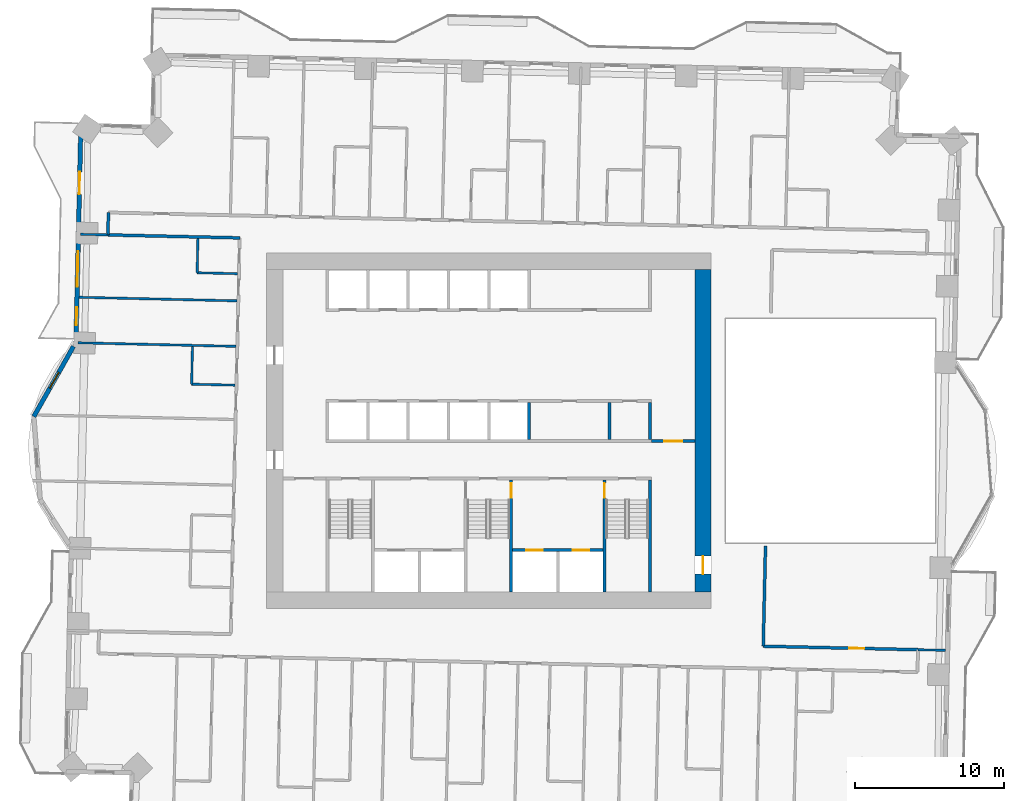
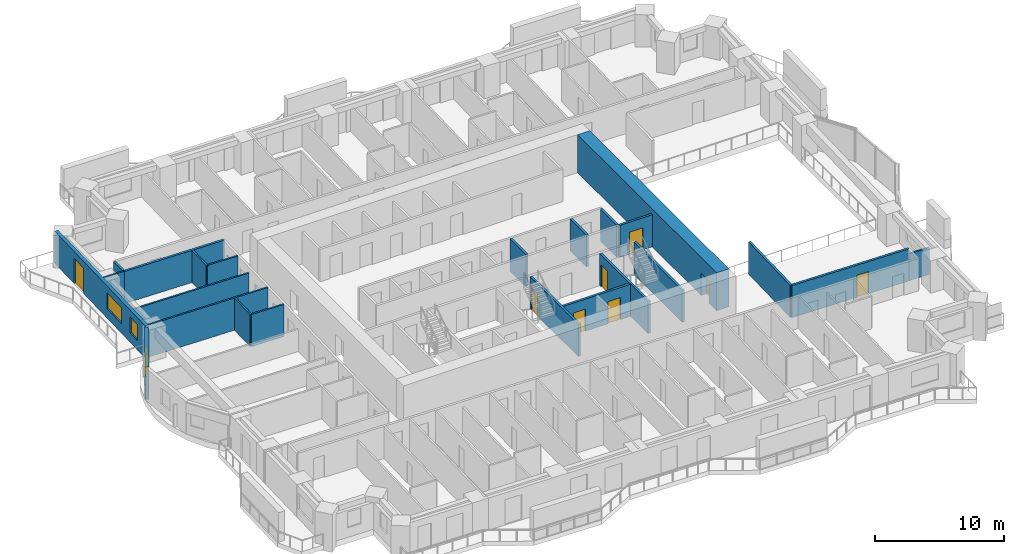
# One storey, part 10 of 18: 23 walls, 8 doors, 3 windows, 11 openings.
"""IFC4 building model written with IfcOpenShell, lengths in metres."""

from ifc_helpers import new_model, si_unit, direction, frame, frame_2d, origin, place, context, subcontext, project, spatial, rectangle, extrude, material, layer, layer_set, type_object, element, fill, save


model = new_model("IFC4")

# Units and contexts
model_context = context("Model", 3, precision=1e-05, world=origin(), true_north=direction((0.0, 1.0)))
body_context = subcontext(model_context, "Body", "Model", "MODEL_VIEW")
ifc_project = project(units=[si_unit("LENGTHUNIT", "METRE"), si_unit("AREAUNIT", "SQUARE_METRE"), si_unit("VOLUMEUNIT", "CUBIC_METRE"), si_unit("PLANEANGLEUNIT", "RADIAN"), si_unit("MASSUNIT", "GRAM", prefix="KILO")], contexts=[model_context])

# Site, building, storey
site_placement = place(None, origin())
site = spatial("IfcSite", under=ifc_project, at=site_placement, CompositionType="ELEMENT")
building_placement = place(site_placement, origin())
building = spatial("IfcBuilding", under=site, at=building_placement, Name="Mangrove Gate Tower", CompositionType="ELEMENT")
storey_placement = place(building_placement, frame((0.0, 0.0, 67.5)))
storey = spatial("IfcBuildingStorey", under=building, at=storey_placement, Name="L16", CompositionType="ELEMENT", Elevation=67.5)

# Wall, opening, door
ifc_material_1 = material(Name="Concrete C32/40", Category="concrete")
ifc_layer_1 = layer(ifc_material_1, 0.199951171875)
ifc_layer_set_1 = layer_set([ifc_layer_1], Name="Core lobby wall 200 C32/40")
wall_type_1 = type_object("IfcWallType", Name="Core lobby wall 200 C32/40", PredefinedType="STANDARD", material=ifc_layer_set_1)
wall_1_placement = place(storey_placement, frame((10.89990234375, -0.699951171875, 0.0), z_axis=(0.0, 0.0, 1.0), x_axis=(1.0, 0.0, 0.0)))
wall_1 = element("IfcWall", 1, at=wall_1_placement, inside=storey, type_object=wall_type_1, Name="WALL-L16-CORE-35", PredefinedType="STANDARD", context=body_context, shape_type="SweptSolid", body=[
    extrude(rectangle(XDim=2.900146484375, YDim=0.199951171875, at=frame_2d((1.4501953125, 0.0))), origin(), (0.0, 0.0, 1.0), 3.050048828125),
])
opening_1_placement = place(wall_1_placement, frame((0.85009765625, 0.0, 0.0)))
opening_1 = element("IfcOpeningElement", 2, at=opening_1_placement, cuts=wall_1, Name="Opening FL12", PredefinedType="OPENING", context=body_context, shape_type="SweptSolid", body=[
    extrude(rectangle(XDim=1.199951171875, YDim=2.10009765625, at=frame_2d((0.60009765625, 1.050048828125))), frame((0.0, 0.10986328125, 0.0), z_axis=(0.0, -1.0, 0.0), x_axis=(1.0, 0.0, 0.0)), (0.0, 0.0, 1.0), 0.219970703125),
])
ifc_material_2 = material(Name="Fire-rated steel door set", Category="steel")
door_type_1 = type_object("IfcDoorType", Name="Lobby door FD60 1200x2100", OperationType="SINGLE_SWING_LEFT", PredefinedType="DOOR", material=ifc_material_2)
door_1_placement = place(opening_1_placement, origin())
door_1 = element("IfcDoor", 3, at=door_1_placement, inside=storey, type_object=door_type_1, Name="Lobby door core corridor E partition", OperationType="SINGLE_SWING_LEFT", OverallHeight=2.10009765625, OverallWidth=1.199951171875, PredefinedType="DOOR", context=body_context, shape_type="SweptSolid", body=[
    extrude(rectangle(XDim=1.199951171875, YDim=2.10009765625, at=frame_2d((0.60009765625, 1.050048828125))), frame((0.0, 0.02490234375, 0.0), z_axis=(0.0, -1.0, 0.0), x_axis=(1.0, 0.0, 0.0)), (0.0, 0.0, 1.0), 0.050048828125),
])
fill(opening_1, door_1)

# Walls
ifc_material_3 = material(Name="Concrete C32/40", Category="concrete")
ifc_layer_2 = layer(ifc_material_3, 0.199951171875)
ifc_layer_set_2 = layer_set([ifc_layer_2], Name="Core room wall 200 C32/40")
wall_type_2 = type_object("IfcWallType", Name="Core room wall 200 C32/40", PredefinedType="STANDARD", material=ifc_layer_set_2)
for number, where, z_axis, x_axis, name in (
    (4, (8.10009765625, -0.60009765625, 0.0), (0.0, 0.0, 1.0), (0.0, 1.0, 0.0), "WALL-L16-CORE-25"),
    (5, (10.800048828125, -0.60009765625, 0.0), (0.0, 0.0, 1.0), (0.0, 1.0, 0.0), "WALL-L16-CORE-26"),
):
    element("IfcWall", number, at=place(storey_placement, frame(where, z_axis=z_axis, x_axis=x_axis)), inside=storey, type_object=wall_type_2, Name=name, PredefinedType="STANDARD", context=body_context, shape_type="SweptSolid", body=[
        extrude(rectangle(XDim=2.5, YDim=0.199951171875, at=frame_2d((1.25, 0.0))), origin(), (0.0, 0.0, 1.0), 3.050048828125),
    ])

# Wall, openings, doors
ifc_material_4 = material(Name="Concrete C70/85", Category="concrete")
ifc_layer_3 = layer(ifc_material_4, 0.199951171875)
ifc_layer_set_3 = layer_set([ifc_layer_3], Name="Core shaft wall 200 C70/85")
wall_type_3 = type_object("IfcWallType", Name="Core shaft wall 200 C70/85", PredefinedType="SHEAR", material=ifc_layer_set_3)
wall_2_placement = place(storey_placement, frame((1.60009765625, -8.0, 0.0), z_axis=(0.0, 0.0, 1.0), x_axis=(1.0, 0.0, 0.0)))
wall_2 = element("IfcWall", 6, at=wall_2_placement, inside=storey, type_object=wall_type_3, Name="WALL-L16-CORE-17", PredefinedType="SHEAR", context=body_context, shape_type="SweptSolid", body=[
    extrude(rectangle(XDim=6.0498046875, YDim=0.199951171875, at=frame_2d((3.02490234375, 0.0))), origin(), (0.0, 0.0, 1.0), 3.050048828125),
])
opening_2_placement = place(wall_2_placement, frame((0.91259765625, 0.0, 0.0)))
opening_2 = element("IfcOpeningElement", 7, at=opening_2_placement, cuts=wall_2, Name="Opening LD", PredefinedType="OPENING", context=body_context, shape_type="SweptSolid", body=[
    extrude(rectangle(XDim=1.10009765625, YDim=2.10009765625, at=frame_2d((0.550048828125, 1.050048828125))), frame((0.0, 0.10986328125, 0.0), z_axis=(0.0, -1.0, 0.0), x_axis=(1.0, 0.0, 0.0)), (0.0, 0.0, 1.0), 0.219970703125),
])
opening_3_placement = place(wall_2_placement, frame((4.03759765625, 0.0, 0.0)))
opening_3 = element("IfcOpeningElement", 8, at=opening_3_placement, cuts=wall_2, Name="Opening LD", PredefinedType="OPENING", context=body_context, shape_type="SweptSolid", body=[
    extrude(rectangle(XDim=1.10009765625, YDim=2.10009765625, at=frame_2d((0.550048828125, 1.050048828125))), frame((0.0, 0.10986328125, 0.0), z_axis=(0.0, -1.0, 0.0), x_axis=(1.0, 0.0, 0.0)), (0.0, 0.0, 1.0), 0.219970703125),
])
ifc_material_5 = material(Name="Stainless steel 316", Category="steel")
door_type_2 = type_object("IfcDoorType", Name="Lift landing door 1100x2100", OperationType="SLIDING_TO_LEFT", PredefinedType="DOOR", material=ifc_material_5)
door_2_placement = place(opening_2_placement, origin())
door_2 = element("IfcDoor", 9, at=door_2_placement, inside=storey, type_object=door_type_2, Name="Landing door LD FFL1", OperationType="SLIDING_TO_LEFT", OverallHeight=2.10009765625, OverallWidth=1.10009765625, PredefinedType="DOOR", context=body_context, shape_type="SweptSolid", body=[
    extrude(rectangle(XDim=1.10009765625, YDim=2.10009765625, at=frame_2d((0.550048828125, 1.050048828125))), frame((0.0, 0.02490234375, 0.0), z_axis=(0.0, -1.0, 0.0), x_axis=(1.0, 0.0, 0.0)), (0.0, 0.0, 1.0), 0.050048828125),
])
fill(opening_2, door_2)
door_3_placement = place(opening_3_placement, origin())
door_3 = element("IfcDoor", 10, at=door_3_placement, inside=storey, type_object=door_type_2, Name="Landing door LD FFL2", OperationType="SLIDING_TO_LEFT", OverallHeight=2.10009765625, OverallWidth=1.10009765625, PredefinedType="DOOR", context=body_context, shape_type="SweptSolid", body=[
    extrude(rectangle(XDim=1.10009765625, YDim=2.10009765625, at=frame_2d((0.550048828125, 1.050048828125))), frame((0.0, 0.02490234375, 0.0), z_axis=(0.0, -1.0, 0.0), x_axis=(1.0, 0.0, 0.0)), (0.0, 0.0, 1.0), 0.050048828125),
])
fill(opening_3, door_3)

# Wall
wall_3_placement = place(storey_placement, frame((2.699951171875, -0.60009765625, 0.0), z_axis=(0.0, 0.0, 1.0), x_axis=(0.0, 1.0, 0.0)))
element("IfcWall", 11, at=wall_3_placement, inside=storey, type_object=wall_type_3, Name="WALL-L16-CORE-24", PredefinedType="SHEAR", context=body_context, shape_type="SweptSolid", body=[
    extrude(rectangle(XDim=2.5, YDim=0.199951171875, at=frame_2d((1.25, 0.0))), origin(), (0.0, 0.0, 1.0), 3.050048828125),
])

# Wall, opening, door
ifc_material_6 = material(Name="Concrete C70/85", Category="concrete")
ifc_layer_4 = layer(ifc_material_6, 0.199951171875)
ifc_layer_set_4 = layer_set([ifc_layer_4], Name="Core stair wall 200 C70/85")
wall_type_4 = type_object("IfcWallType", Name="Core stair wall 200 C70/85", PredefinedType="SHEAR", material=ifc_layer_set_4)
wall_4_placement = place(storey_placement, frame((1.5, -10.800048828125, 0.0), z_axis=(0.0, 0.0, 1.0), x_axis=(0.0, 1.0, 0.0)))
wall_4 = element("IfcWall", 12, at=wall_4_placement, inside=storey, type_object=wall_type_4, Name="WALL-L16-CORE-12", PredefinedType="SHEAR", context=body_context, shape_type="SweptSolid", body=[
    extrude(rectangle(XDim=7.5, YDim=0.199951171875, at=frame_2d((3.75, 0.0))), origin(), (0.0, 0.0, 1.0), 3.050048828125),
])
opening_4_placement = place(wall_4_placement, frame((6.300048828125, 0.0, 0.0)))
opening_4 = element("IfcOpeningElement", 13, at=opening_4_placement, cuts=wall_4, Name="Opening STD10", PredefinedType="OPENING", context=body_context, shape_type="SweptSolid", body=[
    extrude(rectangle(XDim=1.0, YDim=2.10009765625, at=frame_2d((0.5, 1.050048828125))), frame((0.0, 0.10986328125, 0.0), z_axis=(0.0, -1.0, 0.0), x_axis=(1.0, 0.0, 0.0)), (0.0, 0.0, 1.0), 0.219970703125),
])
ifc_material_7 = material(Name="Fire-rated steel door set", Category="steel")
door_type_3 = type_object("IfcDoorType", Name="Stair door FD60 1000x2100", OperationType="SINGLE_SWING_RIGHT", PredefinedType="DOOR", material=ifc_material_7)
door_4_placement = place(opening_4_placement, origin())
door_4 = element("IfcDoor", 14, at=door_4_placement, inside=storey, type_object=door_type_3, Name="Stair door Stair 2 from fire-fighting lobby", OperationType="SINGLE_SWING_RIGHT", OverallHeight=2.10009765625, OverallWidth=1.0, PredefinedType="DOOR", context=body_context, shape_type="SweptSolid", body=[
    extrude(rectangle(XDim=1.0, YDim=2.10009765625, at=frame_2d((0.5, 1.050048828125))), frame((0.0, 0.02490234375, 0.0), z_axis=(0.0, -1.0, 0.0), x_axis=(1.0, 0.0, 0.0)), (0.0, 0.0, 1.0), 0.050048828125),
])
fill(opening_4, door_4)

wall_5_placement = place(storey_placement, frame((7.75, -10.800048828125, 0.0), z_axis=(0.0, 0.0, 1.0), x_axis=(0.0, 1.0, 0.0)))
wall_5 = element("IfcWall", 15, at=wall_5_placement, inside=storey, type_object=wall_type_4, Name="WALL-L16-CORE-13", PredefinedType="SHEAR", context=body_context, shape_type="SweptSolid", body=[
    extrude(rectangle(XDim=7.5, YDim=0.199951171875, at=frame_2d((3.75, 0.0))), origin(), (0.0, 0.0, 1.0), 3.050048828125),
])
opening_5_placement = place(wall_5_placement, frame((6.300048828125, 0.0, 0.0)))
opening_5 = element("IfcOpeningElement", 16, at=opening_5_placement, cuts=wall_5, Name="Opening STD10", PredefinedType="OPENING", context=body_context, shape_type="SweptSolid", body=[
    extrude(rectangle(XDim=1.0, YDim=2.10009765625, at=frame_2d((0.5, 1.050048828125))), frame((0.0, 0.10986328125, 0.0), z_axis=(0.0, -1.0, 0.0), x_axis=(1.0, 0.0, 0.0)), (0.0, 0.0, 1.0), 0.219970703125),
])
door_5_placement = place(opening_5_placement, origin())
door_5 = element("IfcDoor", 17, at=door_5_placement, inside=storey, type_object=door_type_3, Name="Stair door Stair 3 from fire-fighting lobby", OperationType="SINGLE_SWING_RIGHT", OverallHeight=2.10009765625, OverallWidth=1.0, PredefinedType="DOOR", context=body_context, shape_type="SweptSolid", body=[
    extrude(rectangle(XDim=1.0, YDim=2.10009765625, at=frame_2d((0.5, 1.050048828125))), frame((0.0, 0.02490234375, 0.0), z_axis=(0.0, -1.0, 0.0), x_axis=(1.0, 0.0, 0.0)), (0.0, 0.0, 1.0), 0.050048828125),
])
fill(opening_5, door_5)

# Wall
wall_6_placement = place(storey_placement, frame((10.800048828125, -10.800048828125, 0.0), z_axis=(0.0, 0.0, 1.0), x_axis=(0.0, 1.0, 0.0)))
element("IfcWall", 18, at=wall_6_placement, inside=storey, type_object=wall_type_4, Name="WALL-L16-CORE-14", PredefinedType="SHEAR", context=body_context, shape_type="SweptSolid", body=[
    extrude(rectangle(XDim=7.5, YDim=0.199951171875, at=frame_2d((3.75, 0.0))), origin(), (0.0, 0.0, 1.0), 3.050048828125),
])

# Wall, opening, door
ifc_material_8 = material(Name="Concrete C70/85", Category="concrete")
ifc_layer_5 = layer(ifc_material_8, 1.10009765625)
ifc_layer_set_5 = layer_set([ifc_layer_5], Name="Core wall 1100 C70/85")
wall_type_5 = type_object("IfcWallType", Name="Core wall 1100 C70/85", PredefinedType="SHEAR", material=ifc_layer_set_5)
wall_7_placement = place(storey_placement, frame((14.35009765625, -10.800048828125, 0.0), z_axis=(0.0, 0.0, 1.0), x_axis=(0.0, 1.0, 0.0)))
wall_7 = element("IfcWall", 19, at=wall_7_placement, inside=storey, type_object=wall_type_5, Name="WALL-L16-CORE-4", PredefinedType="SHEAR", context=body_context, shape_type="SweptSolid", body=[
    extrude(rectangle(XDim=21.60009765625, YDim=1.10009765625, at=frame_2d((10.800048828125, 0.0))), origin(), (0.0, 0.0, 1.0), 3.60009765625),
])
opening_6_placement = place(wall_7_placement, frame((1.199951171875, 0.0, 0.0)))
opening_6 = element("IfcOpeningElement", 20, at=opening_6_placement, cuts=wall_7, Name="Opening CD", PredefinedType="OPENING", context=body_context, shape_type="SweptSolid", body=[
    extrude(rectangle(XDim=1.199951171875, YDim=2.10009765625, at=frame_2d((0.60009765625, 1.050048828125))), frame((0.0, 0.56005859375, 0.0), z_axis=(0.0, -1.0, 0.0), x_axis=(1.0, 0.0, 0.0)), (0.0, 0.0, 1.0), 1.1201171875),
])
ifc_material_9 = material(Name="Fire-rated steel door set", Category="steel")
door_type_4 = type_object("IfcDoorType", Name="Core ring door FD60 1200x2100", OperationType="DOUBLE_DOOR_SINGLE_SWING", PredefinedType="DOOR", material=ifc_material_9)
door_6_placement = place(opening_6_placement, origin())
door_6 = element("IfcDoor", 21, at=door_6_placement, inside=storey, type_object=door_type_4, Name="Core ring door E1", OperationType="DOUBLE_DOOR_SINGLE_SWING", OverallHeight=2.10009765625, OverallWidth=1.199951171875, PredefinedType="DOOR", context=body_context, shape_type="SweptSolid", body=[
    extrude(rectangle(XDim=1.199951171875, YDim=2.10009765625, at=frame_2d((0.60009765625, 1.050048828125))), frame((0.0, 0.02490234375, 0.0), z_axis=(0.0, -1.0, 0.0), x_axis=(1.0, 0.0, 0.0)), (0.0, 0.0, 1.0), 0.050048828125),
])
fill(opening_6, door_6)

ifc_material_10 = material(Name="Gypsum board on steel stud, EI 60", Category="steel")
ifc_layer_6 = layer(ifc_material_10, 0.199951171875)
ifc_layer_set_6 = layer_set([ifc_layer_6], Name="Corridor wall EI 60")
wall_type_6 = type_object("IfcWallType", Name="Corridor wall EI 60", PredefinedType="PARTITIONING", material=ifc_layer_set_6)
wall_8_placement = place(storey_placement, frame((18.382080078125, -14.43408203125, 0.0), z_axis=(0.0, 0.0, 1.0), x_axis=(0.999743763457, -0.022636418209, 0.0)))
wall_8 = element("IfcWall", 22, at=wall_8_placement, inside=storey, type_object=wall_type_6, Name="WALL-L16-037", PredefinedType="PARTITIONING", context=body_context, shape_type="SweptSolid", body=[
    extrude(rectangle(XDim=10.37548828125, YDim=0.199951171875, at=frame_2d((5.187744140625, 0.0))), origin(), (0.0, 0.0, 1.0), 3.050048828125),
])
opening_7_placement = place(wall_8_placement, frame((5.777099609375, 0.0, 0.0)))
opening_7 = element("IfcOpeningElement", 23, at=opening_7_placement, cuts=wall_8, Name="Opening AD", PredefinedType="OPENING", context=body_context, shape_type="SweptSolid", body=[
    extrude(rectangle(XDim=1.0, YDim=2.10009765625, at=frame_2d((0.5, 1.050048828125))), frame((0.0, 0.10986328125, 0.0), z_axis=(0.0, -1.0, 0.0), x_axis=(1.0, 0.0, 0.0)), (0.0, 0.0, 1.0), 0.219970703125),
])
ifc_material_11 = material(Name="Timber door leaf", Category="wood")
door_type_5 = type_object("IfcDoorType", Name="Amenity door 1000", OperationType="SINGLE_SWING_LEFT", PredefinedType="DOOR", material=ifc_material_11)
door_7_placement = place(opening_7_placement, origin())
door_7 = element("IfcDoor", 24, at=door_7_placement, inside=storey, type_object=door_type_5, Name="DOOR-L16-GAM-c3b", OperationType="SINGLE_SWING_LEFT", OverallHeight=2.10009765625, OverallWidth=1.0, PredefinedType="DOOR", context=body_context, shape_type="SweptSolid", body=[
    extrude(rectangle(XDim=1.0, YDim=2.10009765625, at=frame_2d((0.5, 1.050048828125))), frame((0.0, 0.02490234375, 0.0), z_axis=(0.0, -1.0, 0.0), x_axis=(1.0, 0.0, 0.0)), (0.0, 0.0, 1.0), 0.050048828125),
])
fill(opening_7, door_7)

# Walls
wall_9_placement = place(storey_placement, frame((18.384033203125, -14.43408203125, 0.0), z_axis=(0.0, 0.0, 1.0), x_axis=(0.022773383809, 0.999740652864, 0.0)))
element("IfcWall", 25, at=wall_9_placement, inside=storey, type_object=wall_type_6, Name="WALL-L16-038", PredefinedType="PARTITIONING", context=body_context, shape_type="SweptSolid", body=[
    extrude(rectangle(XDim=6.7216796875, YDim=0.199951171875, at=frame_2d((3.36083984375, 0.0))), origin(), (0.0, 0.0, 1.0), 3.050048828125),
])
wall_10_placement = place(storey_placement, frame((-25.514892578125, 13.118896484375, 0.0), z_axis=(0.0, 0.0, 1.0), x_axis=(0.999741550249, -0.022733954903, 0.0)))
element("IfcWall", 26, at=wall_10_placement, inside=storey, type_object=wall_type_6, Name="WALL-L16-054", PredefinedType="PARTITIONING", context=body_context, shape_type="SweptSolid", body=[
    extrude(rectangle(XDim=8.838134765625, YDim=0.199951171875, at=frame_2d((4.4189453125, 0.0))), origin(), (0.0, 0.0, 1.0), 3.050048828125),
])
wall_11_placement = place(storey_placement, frame((-25.511962890625, 13.118896484375, 0.0), z_axis=(0.0, 0.0, 1.0), x_axis=(0.022617910375, 0.999744182344, 0.0)))
element("IfcWall", 27, at=wall_11_placement, inside=storey, type_object=wall_type_6, Name="WALL-L16-055", PredefinedType="PARTITIONING", context=body_context, shape_type="SweptSolid", body=[
    extrude(rectangle(XDim=1.50048828125, YDim=0.199951171875, at=frame_2d((0.750244140625, 0.0))), origin(), (0.0, 0.0, 1.0), 3.050048828125),
])

# Wall, openings, door, windows
ifc_material_12 = material(Name="Limestone", Category="masonry")
ifc_layer_7 = layer(ifc_material_12, 0.0400390625, Name="Limestone cladding")
ifc_material_13 = material(Name="Ventilated air gap")
ifc_layer_8 = layer(ifc_material_13, 0.0400390625, Name="Ventilated cavity")
ifc_material_14 = material(Name="Mineral wool insulation")
ifc_layer_9 = layer(ifc_material_14, 0.06005859375, Name="Insulation")
ifc_material_15 = material(Name="Breather membrane")
ifc_layer_10 = layer(ifc_material_15, 0.001953125, Name="Breather membrane")
ifc_material_16 = material(Name="Concrete C20/25 blockwork", Category="masonry")
ifc_layer_11 = layer(ifc_material_16, 0.14990234375, Name="Blockwork backing wall")
ifc_material_17 = material(Name="Gypsum plaster")
ifc_layer_12 = layer(ifc_material_17, 0.008056640625, Name="Internal plaster")
ifc_layer_set_7 = layer_set([ifc_layer_7, ifc_layer_8, ifc_layer_9, ifc_layer_10, ifc_layer_11, ifc_layer_12], Name="External wall 300 limestone cladding")
wall_type_7 = type_object("IfcWallType", Name="External wall 300 limestone cladding", PredefinedType="SOLIDWALL", material=ifc_layer_set_7)
wall_12_placement = place(storey_placement, frame((-27.323974609375, 20.4619140625, 0.0), z_axis=(0.0, 0.0, 1.0), x_axis=(-0.022695628174, -0.999742421057, 0.0)))
wall_12 = element("IfcWall", 28, at=wall_12_placement, inside=storey, type_object=wall_type_7, Name="WALL-L16-W8", PredefinedType="SOLIDWALL", context=body_context, shape_type="SweptSolid", body=[
    extrude(rectangle(XDim=14.629638671875, YDim=0.300048828125, at=frame_2d((7.31494140625, 0.0))), origin(), (0.0, 0.0, 1.0), 3.050048828125),
])
opening_8_placement = place(wall_12_placement, frame((3.117919921875, 0.0, 0.0)))
opening_8 = element("IfcOpeningElement", 29, at=opening_8_placement, cuts=wall_12, Name="Opening BD1", PredefinedType="OPENING", context=body_context, shape_type="SweptSolid", body=[
    extrude(rectangle(XDim=1.5, YDim=2.39990234375, at=frame_2d((0.75, 1.199951171875))), frame((0.0, 0.159912109375, 0.0), z_axis=(0.0, -1.0, 0.0), x_axis=(1.0, 0.0, 0.0)), (0.0, 0.0, 1.0), 0.320068359375),
])
opening_9_placement = place(wall_12_placement, frame((8.430908203125, 0.0, 0.89990234375)))
opening_9 = element("IfcOpeningElement", 30, at=opening_9_placement, cuts=wall_12, Name="Opening W2", PredefinedType="OPENING", context=body_context, shape_type="SweptSolid", body=[
    extrude(rectangle(XDim=2.39990234375, YDim=1.5, at=frame_2d((1.199951171875, 0.75))), frame((0.0, 0.159912109375, 0.0), z_axis=(0.0, -1.0, 0.0), x_axis=(1.0, 0.0, 0.0)), (0.0, 0.0, 1.0), 0.320068359375),
])
opening_10_placement = place(wall_12_placement, frame((12.18798828125, 0.0, 0.89990234375)))
opening_10 = element("IfcOpeningElement", 31, at=opening_10_placement, cuts=wall_12, Name="Opening W1", PredefinedType="OPENING", context=body_context, shape_type="SweptSolid", body=[
    extrude(rectangle(XDim=1.199951171875, YDim=1.5, at=frame_2d((0.60009765625, 0.75))), frame((0.0, 0.159912109375, 0.0), z_axis=(0.0, -1.0, 0.0), x_axis=(1.0, 0.0, 0.0)), (0.0, 0.0, 1.0), 0.320068359375),
])
ifc_material_18 = material(Name="Aluminium frame with laminated clear glass", Category="aluminium")
door_type_6 = type_object("IfcDoorType", Name="Balcony sliding door 1500x2400", OperationType="SLIDING_TO_LEFT", PredefinedType="DOOR", material=ifc_material_18)
door_8_placement = place(opening_8_placement, origin())
door_8 = element("IfcDoor", 32, at=door_8_placement, inside=storey, type_object=door_type_6, Name="DOOR-L16-W8-1", OperationType="SLIDING_TO_LEFT", OverallHeight=2.39990234375, OverallWidth=1.5, PredefinedType="DOOR", context=body_context, shape_type="SweptSolid", body=[
    extrude(rectangle(XDim=1.5, YDim=2.39990234375, at=frame_2d((0.75, 1.199951171875))), frame((0.0, 0.02490234375, 0.0), z_axis=(0.0, -1.0, 0.0), x_axis=(1.0, 0.0, 0.0)), (0.0, 0.0, 1.0), 0.050048828125),
])
fill(opening_8, door_8)
ifc_material_19 = material(Name="Aluminium frame with double-glazed low-e glass", Category="aluminium")
window_type_1 = type_object("IfcWindowType", Name="Corner room window 2400x1500", PartitioningType="DOUBLE_PANEL_VERTICAL", PredefinedType="WINDOW", material=ifc_material_19)
window_1_placement = place(opening_9_placement, origin())
window_1 = element("IfcWindow", 33, at=window_1_placement, inside=storey, type_object=window_type_1, Name="WIN-L16-W8-2", OverallHeight=1.5, OverallWidth=2.39990234375, PartitioningType="DOUBLE_PANEL_VERTICAL", PredefinedType="WINDOW", context=body_context, shape_type="SweptSolid", body=[
    extrude(rectangle(XDim=2.39990234375, YDim=1.5, at=frame_2d((1.199951171875, 0.75))), frame((0.0, 0.030029296875, 0.0), z_axis=(0.0, -1.0, 0.0), x_axis=(1.0, 0.0, 0.0)), (0.0, 0.0, 1.0), 0.06005859375),
])
fill(opening_9, window_1)
ifc_material_20 = material(Name="Aluminium frame with double-glazed low-e glass", Category="aluminium")
window_type_2 = type_object("IfcWindowType", Name="Side lite 1200x1500", PartitioningType="SINGLE_PANEL", PredefinedType="WINDOW", material=ifc_material_20)
window_2_placement = place(opening_10_placement, origin())
window_2 = element("IfcWindow", 34, at=window_2_placement, inside=storey, type_object=window_type_2, Name="WIN-L16-W8-3", OverallHeight=1.5, OverallWidth=1.199951171875, PartitioningType="SINGLE_PANEL", PredefinedType="WINDOW", context=body_context, shape_type="SweptSolid", body=[
    extrude(rectangle(XDim=1.199951171875, YDim=1.5, at=frame_2d((0.60009765625, 0.75))), frame((0.0, 0.030029296875, 0.0), z_axis=(0.0, -1.0, 0.0), x_axis=(1.0, 0.0, 0.0)), (0.0, 0.0, 1.0), 0.06005859375),
])
fill(opening_10, window_2)

# Wall, opening, window
wall_13_placement = place(storey_placement, frame((-27.820068359375, 5.64990234375, 0.0), z_axis=(0.0, 0.0, 1.0), x_axis=(-0.492554919955, -0.870281363025, 0.0)))
wall_13 = element("IfcWall", 35, at=wall_13_placement, inside=storey, type_object=wall_type_7, Name="WALL-L16-W9f1", PredefinedType="SOLIDWALL", context=body_context, shape_type="SweptSolid", body=[
    extrude(rectangle(XDim=5.398193359375, YDim=0.300048828125, at=frame_2d((2.69921875, 0.0))), origin(), (0.0, 0.0, 1.0), 3.050048828125),
])
opening_11_placement = place(wall_13_placement, frame((2.008056640625, 0.0, 0.89990234375)))
opening_11 = element("IfcOpeningElement", 36, at=opening_11_placement, cuts=wall_13, Name="Opening W1", PredefinedType="OPENING", context=body_context, shape_type="SweptSolid", body=[
    extrude(rectangle(XDim=1.199951171875, YDim=1.5, at=frame_2d((0.60009765625, 0.75))), frame((0.0, 0.159912109375, 0.0), z_axis=(0.0, -1.0, 0.0), x_axis=(1.0, 0.0, 0.0)), (0.0, 0.0, 1.0), 0.320068359375),
])
window_3_placement = place(opening_11_placement, origin())
window_3 = element("IfcWindow", 37, at=window_3_placement, inside=storey, type_object=window_type_2, Name="WIN-L16-W9f1", OverallHeight=1.5, OverallWidth=1.199951171875, PartitioningType="SINGLE_PANEL", PredefinedType="WINDOW", context=body_context, shape_type="SweptSolid", body=[
    extrude(rectangle(XDim=1.199951171875, YDim=1.5, at=frame_2d((0.60009765625, 0.75))), frame((0.0, 0.030029296875, 0.0), z_axis=(0.0, -1.0, 0.0), x_axis=(1.0, 0.0, 0.0)), (0.0, 0.0, 1.0), 0.06005859375),
])
fill(opening_11, window_3)

# Walls
ifc_material_21 = material(Name="Gypsum board on steel stud, EI 60", Category="steel")
ifc_layer_13 = layer(ifc_material_21, 0.14990234375)
ifc_layer_set_8 = layer_set([ifc_layer_13], Name="Party wall 150 EI 60")
wall_type_8 = type_object("IfcWallType", Name="Party wall 150 EI 60", PredefinedType="PARTITIONING", material=ifc_layer_set_8)
wall_14_placement = place(storey_placement, frame((28.7548828125, -14.6689453125, 0.0), z_axis=(0.0, 0.0, 1.0), x_axis=(0.999735161806, -0.023013175566, 0.0)))
element("IfcWall", 38, at=wall_14_placement, inside=storey, type_object=wall_type_8, Name="WALL-L16-039", PredefinedType="PARTITIONING", context=body_context, shape_type="SweptSolid", body=[
    extrude(rectangle(XDim=1.82470703125, YDim=0.14990234375, at=frame_2d((0.912353515625, 0.0))), origin(), (0.0, 0.0, 1.0), 2.550048828125),
])
wall_15_placement = place(storey_placement, frame((-19.906982421875, 3.114013671875, 0.0), z_axis=(0.0, 0.0, 1.0), x_axis=(0.022523775833, 0.999746307581, 0.0)))
element("IfcWall", 39, at=wall_15_placement, inside=storey, type_object=wall_type_8, Name="WALL-L16-046", PredefinedType="PARTITIONING", context=body_context, shape_type="SweptSolid", body=[
    extrude(rectangle(XDim=2.525634765625, YDim=0.14990234375, at=frame_2d((1.2626953125, 0.0))), origin(), (0.0, 0.0, 1.0), 3.050048828125),
])
wall_16_placement = place(storey_placement, frame((-19.902099609375, 3.118896484375, 0.0), z_axis=(0.0, 0.0, 1.0), x_axis=(0.999741618182, -0.022730967319, 0.0)))
element("IfcWall", 40, at=wall_16_placement, inside=storey, type_object=wall_type_8, Name="WALL-L16-047", PredefinedType="PARTITIONING", context=body_context, shape_type="SweptSolid", body=[
    extrude(rectangle(XDim=2.89990234375, YDim=0.14990234375, at=frame_2d((1.449951171875, 0.0))), origin(), (0.0, 0.0, 1.0), 3.050048828125),
])
wall_17_placement = place(storey_placement, frame((-27.5048828125, 5.89208984375, 0.0), z_axis=(0.0, 0.0, 1.0), x_axis=(0.999743990669, -0.022626381091, 0.0)))
element("IfcWall", 41, at=wall_17_placement, inside=storey, type_object=wall_type_8, Name="WALL-L16-048", PredefinedType="PARTITIONING", context=body_context, shape_type="SweptSolid", body=[
    extrude(rectangle(XDim=10.5634765625, YDim=0.14990234375, at=frame_2d((5.28173828125, 0.0))), origin(), (0.0, 0.0, 1.0), 3.050048828125),
])
wall_18_placement = place(storey_placement, frame((-27.43505859375, 8.94091796875, 0.0), z_axis=(0.0, 0.0, 1.0), x_axis=(0.999743955169, -0.022627949603, 0.0)))
element("IfcWall", 42, at=wall_18_placement, inside=storey, type_object=wall_type_8, Name="WALL-L16-049", PredefinedType="PARTITIONING", context=body_context, shape_type="SweptSolid", body=[
    extrude(rectangle(XDim=10.562744140625, YDim=0.14990234375, at=frame_2d((5.28125, 0.0))), origin(), (0.0, 0.0, 1.0), 2.550048828125),
])
wall_19_placement = place(storey_placement, frame((-19.5380859375, 10.5830078125, 0.0), z_axis=(0.0, 0.0, 1.0), x_axis=(0.022612884682, 0.999744296031, 0.0)))
element("IfcWall", 43, at=wall_19_placement, inside=storey, type_object=wall_type_8, Name="WALL-L16-051", PredefinedType="PARTITIONING", context=body_context, shape_type="SweptSolid", body=[
    extrude(rectangle(XDim=2.299560546875, YDim=0.14990234375, at=frame_2d((1.14990234375, 0.0))), origin(), (0.0, 0.0, 1.0), 3.050048828125),
])
wall_20_placement = place(storey_placement, frame((-19.532958984375, 10.5830078125, 0.0), z_axis=(0.0, 0.0, 1.0), x_axis=(0.999736155505, -0.022969966847, 0.0)))
element("IfcWall", 44, at=wall_20_placement, inside=storey, type_object=wall_type_8, Name="WALL-L16-052", PredefinedType="PARTITIONING", context=body_context, shape_type="SweptSolid", body=[
    extrude(rectangle(XDim=2.69970703125, YDim=0.14990234375, at=frame_2d((1.349853515625, 0.0))), origin(), (0.0, 0.0, 1.0), 3.050048828125),
])
wall_21_placement = place(storey_placement, frame((-27.340087890625, 13.159912109375, 0.0), z_axis=(0.0, 0.0, 1.0), x_axis=(0.999748678707, -0.022418283238, 0.0)))
element("IfcWall", 45, at=wall_21_placement, inside=storey, type_object=wall_type_8, Name="WALL-L16-053", PredefinedType="PARTITIONING", context=body_context, shape_type="SweptSolid", body=[
    extrude(rectangle(XDim=1.82958984375, YDim=0.14990234375, at=frame_2d((0.914794921875, 0.0))), origin(), (0.0, 0.0, 1.0), 3.050048828125),
])

save(model, "model.ifc")
